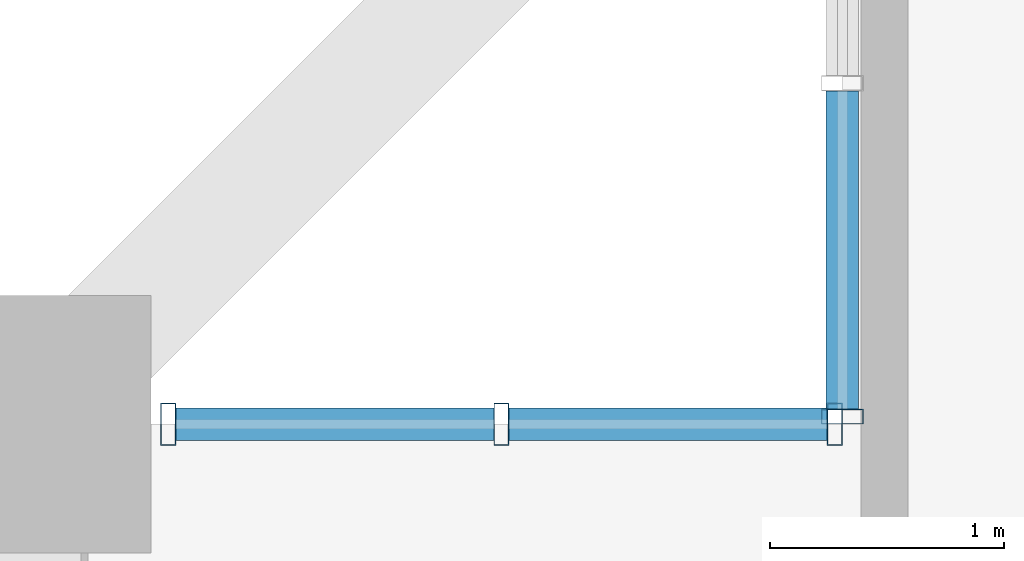
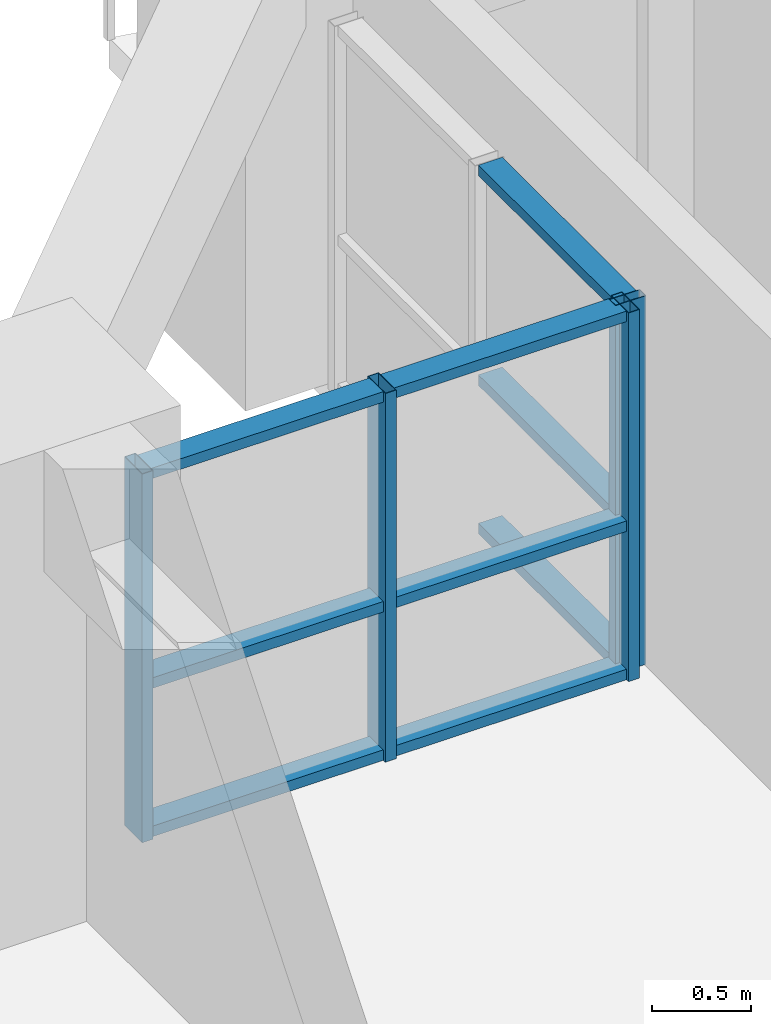
# One storey, part 6 of 28: 13 members, 2 elements without a shape of their own.
"""IFC4 building model written with IfcOpenShell, lengths in metres."""

from ifc_helpers import new_model, si_unit, direction, frame, origin, origin_2d, place, context, subcontext, project, spatial, hollow_rectangle, extrude, source, transform, mapped, material, layer, layer_set, material_profile, profile_set, type_object, element, aggregate, save


model = new_model("IFC4")

# Units and contexts
model_context = context("Model", 3, precision=1e-05, world=origin(), true_north=direction((0.0, 1.0)))
body_context = subcontext(model_context, "Body", "Model", "MODEL_VIEW")
ifc_project = project(units=[si_unit("LENGTHUNIT", "METRE"), si_unit("AREAUNIT", "SQUARE_METRE"), si_unit("VOLUMEUNIT", "CUBIC_METRE"), si_unit("PLANEANGLEUNIT", "RADIAN"), si_unit("MASSUNIT", "GRAM", prefix="KILO")], contexts=[model_context])

# Site, building, storey
site_placement = place(None, origin())
site = spatial("IfcSite", under=ifc_project, at=site_placement, CompositionType="ELEMENT")
building_placement = place(site_placement, origin())
building = spatial("IfcBuilding", under=site, at=building_placement, Name="Saelheon Loggia Tower", CompositionType="ELEMENT")
storey_placement = place(building_placement, frame((0.0, 0.0, 25.39990234375)))
storey = spatial("IfcBuildingStorey", under=building, at=storey_placement, Name="L07", CompositionType="ELEMENT", Elevation=25.39990234375)

# Curtain wall, member
ifc_material_1 = material(Name="Thermal-Break Aluminium and Triple Low-E Glass", Category="aluminium")
ifc_layer = layer(ifc_material_1, 0.159912109375)
ifc_layer_set = layer_set([ifc_layer], Name="Thermal-Break Aluminium and Triple Low-E Glass")
curtain_wall_type = type_object("IfcCurtainWallType", Name="CW_TowerLoggiaLow", PredefinedType="NOTDEFINED", material=ifc_layer_set)
curtain_wall_1_placement = place(storey_placement, origin())
curtain_wall_1 = element("IfcCurtainWall", 1, at=curtain_wall_1_placement, inside=storey, type_object=curtain_wall_type, Name="L07 Corner Notch Glazing NW1", PredefinedType="NOTDEFINED")
ifc_material_2 = material(Name="Anodised Aluminium 6063-T6", Category="aluminium")
ifc_material_profile_1 = material_profile(ifc_material_2, hollow_rectangle(XDim=0.06494140625, YDim=0.179931640625, WallThickness=0.00390625, at=origin_2d()), Name="RHS-180x65x4")
ifc_profile_set_1 = profile_set([ifc_material_profile_1], Name="Anodised Aluminium 6063-T6")
member_type_1 = type_object("IfcMemberType", Name="CW_TowerLoggiaLow_Mullion", PredefinedType="MULLION", material=ifc_profile_set_1)
shared_shape_1 = source(origin(), body_context, "Body", "SweptSolid", [
    extrude(hollow_rectangle(XDim=0.06494140625, YDim=0.179931640625, WallThickness=0.00390625, at=origin_2d()), origin(), (0.0, 0.0, 1.0), 2.280029296875),
])
member_1_placement = place(storey_placement, frame((15.5, 47.532470703125, 0.0), z_axis=(0.0, 0.0, 1.0), x_axis=(0.0, 1.0, 0.0)))
member_1 = element("IfcMember", 2, at=member_1_placement, type_object=member_type_1, Name="CW3 mullion 1", PredefinedType="MULLION", context=body_context, shape_type="MappedRepresentation", body=[
    mapped(shared_shape_1, transform((0.0, 0.0, 0.0), scale=1.0)),
])

# Curtain wall, members
curtain_wall_2_placement = place(storey_placement, origin())
curtain_wall_2 = element("IfcCurtainWall", 3, at=curtain_wall_2_placement, inside=storey, type_object=curtain_wall_type, Name="L07 Corner Notch Glazing NW2", PredefinedType="NOTDEFINED")
member_2_placement = place(storey_placement, frame((12.62255859375, 47.5, 0.0), z_axis=(0.0, 0.0, 1.0), x_axis=(1.0, 0.0, 0.0)))
member_2 = element("IfcMember", 4, at=member_2_placement, type_object=member_type_1, Name="CW3 mullion 1", PredefinedType="MULLION", context=body_context, shape_type="MappedRepresentation", body=[
    mapped(shared_shape_1, transform((0.0, 0.0, 0.0), scale=1.0)),
])
member_3_placement = place(storey_placement, frame((14.044921875, 47.5, 0.0), z_axis=(0.0, 0.0, 1.0), x_axis=(1.0, 0.0, 0.0)))
member_3 = element("IfcMember", 5, at=member_3_placement, type_object=member_type_1, Name="CW3 mullion 2", PredefinedType="MULLION", context=body_context, shape_type="MappedRepresentation", body=[
    mapped(shared_shape_1, transform((0.0, 0.0, 0.0), scale=1.0)),
])
member_4_placement = place(storey_placement, frame((15.467529296875, 47.5, 0.0), z_axis=(0.0, 0.0, 1.0), x_axis=(1.0, 0.0, 0.0)))
member_4 = element("IfcMember", 6, at=member_4_placement, type_object=member_type_1, Name="CW3 mullion 3", PredefinedType="MULLION", context=body_context, shape_type="MappedRepresentation", body=[
    mapped(shared_shape_1, transform((0.0, 0.0, 0.0), scale=1.0)),
])
ifc_material_profile_2 = material_profile(ifc_material_2, hollow_rectangle(XDim=0.06494140625, YDim=0.139892578125, WallThickness=0.00390625, at=origin_2d()), Name="RHS-140x65x4")
ifc_profile_set_2 = profile_set([ifc_material_profile_2], Name="Anodised Aluminium 6063-T6")
member_type_2 = type_object("IfcMemberType", Name="CW_TowerLoggiaLow_Transom", PredefinedType="USERDEFINED", material=ifc_profile_set_2)
shared_shape_2 = source(origin(), body_context, "Body", "SweptSolid", [
    extrude(hollow_rectangle(XDim=0.06494140625, YDim=0.139892578125, WallThickness=0.00390625, at=origin_2d()), origin(), (0.0, 0.0, 1.0), 1.357421875),
])
member_5_placement = place(storey_placement, frame((12.655029296875, 47.5, 0.03271484375), z_axis=(1.0, 0.0, 0.0), x_axis=(0.0, 0.0, 1.0)))
member_5 = element("IfcMember", 7, at=member_5_placement, type_object=member_type_2, Name="CW3 transom 1.1", ObjectType="TRANSOM", PredefinedType="USERDEFINED", context=body_context, shape_type="MappedRepresentation", body=[
    mapped(shared_shape_2, transform((0.0, 0.0, 0.0), scale=1.0)),
])
member_6_placement = place(storey_placement, frame((12.655029296875, 47.5, 0.9501953125), z_axis=(1.0, 0.0, 0.0), x_axis=(0.0, 0.0, 1.0)))
member_6 = element("IfcMember", 8, at=member_6_placement, type_object=member_type_2, Name="CW3 transom 1.2", ObjectType="TRANSOM", PredefinedType="USERDEFINED", context=body_context, shape_type="MappedRepresentation", body=[
    mapped(shared_shape_2, transform((0.0, 0.0, 0.0), scale=1.0)),
])
member_7_placement = place(storey_placement, frame((12.655029296875, 47.5, 2.24755859375), z_axis=(1.0, 0.0, 0.0), x_axis=(0.0, 0.0, 1.0)))
member_7 = element("IfcMember", 9, at=member_7_placement, type_object=member_type_2, Name="CW3 transom 1.3", ObjectType="TRANSOM", PredefinedType="USERDEFINED", context=body_context, shape_type="MappedRepresentation", body=[
    mapped(shared_shape_2, transform((0.0, 0.0, 0.0), scale=1.0)),
])

# Member
shared_shape_3 = source(origin(), body_context, "Body", "SweptSolid", [
    extrude(hollow_rectangle(XDim=0.06494140625, YDim=0.139892578125, WallThickness=0.00390625, at=origin_2d()), origin(), (0.0, 0.0, 1.0), 1.357666015625),
])
member_8_placement = place(storey_placement, frame((15.5, 47.56494140625, 0.03271484375), z_axis=(0.0, 1.0, 0.0), x_axis=(0.0, 0.0, 1.0)))
member_8 = element("IfcMember", 10, at=member_8_placement, type_object=member_type_2, Name="CW3 transom 1.1", ObjectType="TRANSOM", PredefinedType="USERDEFINED", context=body_context, shape_type="MappedRepresentation", body=[
    mapped(shared_shape_3, transform((0.0, 0.0, 0.0), scale=1.0)),
])

member_9_placement = place(storey_placement, frame((15.5, 47.56494140625, 0.9501953125), z_axis=(0.0, 1.0, 0.0), x_axis=(0.0, 0.0, 1.0)))
member_9 = element("IfcMember", 11, at=member_9_placement, type_object=member_type_2, Name="CW3 transom 1.2", ObjectType="TRANSOM", PredefinedType="USERDEFINED", context=body_context, shape_type="MappedRepresentation", body=[
    mapped(shared_shape_3, transform((0.0, 0.0, 0.0), scale=1.0)),
])

member_10_placement = place(storey_placement, frame((15.5, 47.56494140625, 2.24755859375), z_axis=(0.0, 1.0, 0.0), x_axis=(0.0, 0.0, 1.0)))
member_10 = element("IfcMember", 12, at=member_10_placement, type_object=member_type_2, Name="CW3 transom 1.3", ObjectType="TRANSOM", PredefinedType="USERDEFINED", context=body_context, shape_type="MappedRepresentation", body=[
    mapped(shared_shape_3, transform((0.0, 0.0, 0.0), scale=1.0)),
])

aggregate(curtain_wall_1, [member_1, member_8, member_9, member_10])

member_11_placement = place(storey_placement, frame((14.077392578125, 47.5, 0.03271484375), z_axis=(1.0, 0.0, 0.0), x_axis=(0.0, 0.0, 1.0)))
member_11 = element("IfcMember", 13, at=member_11_placement, type_object=member_type_2, Name="CW3 transom 2.1", ObjectType="TRANSOM", PredefinedType="USERDEFINED", context=body_context, shape_type="MappedRepresentation", body=[
    mapped(shared_shape_3, transform((0.0, 0.0, 0.0), scale=1.0)),
])

member_12_placement = place(storey_placement, frame((14.077392578125, 47.5, 0.9501953125), z_axis=(1.0, 0.0, 0.0), x_axis=(0.0, 0.0, 1.0)))
member_12 = element("IfcMember", 14, at=member_12_placement, type_object=member_type_2, Name="CW3 transom 2.2", ObjectType="TRANSOM", PredefinedType="USERDEFINED", context=body_context, shape_type="MappedRepresentation", body=[
    mapped(shared_shape_3, transform((0.0, 0.0, 0.0), scale=1.0)),
])

member_13_placement = place(storey_placement, frame((14.077392578125, 47.5, 2.24755859375), z_axis=(1.0, 0.0, 0.0), x_axis=(0.0, 0.0, 1.0)))
member_13 = element("IfcMember", 15, at=member_13_placement, type_object=member_type_2, Name="CW3 transom 2.3", ObjectType="TRANSOM", PredefinedType="USERDEFINED", context=body_context, shape_type="MappedRepresentation", body=[
    mapped(shared_shape_3, transform((0.0, 0.0, 0.0), scale=1.0)),
])

aggregate(curtain_wall_2, [member_2, member_3, member_4, member_5, member_6, member_7, member_11, member_12, member_13])

save(model, "model.ifc")
